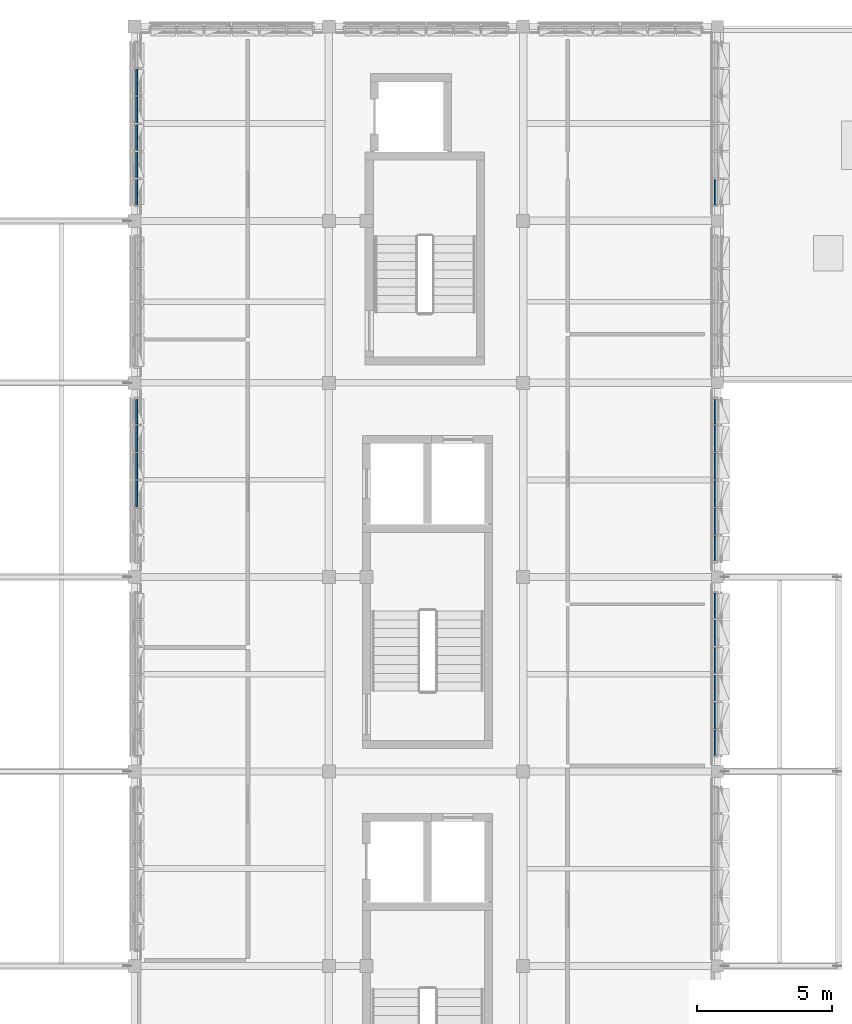
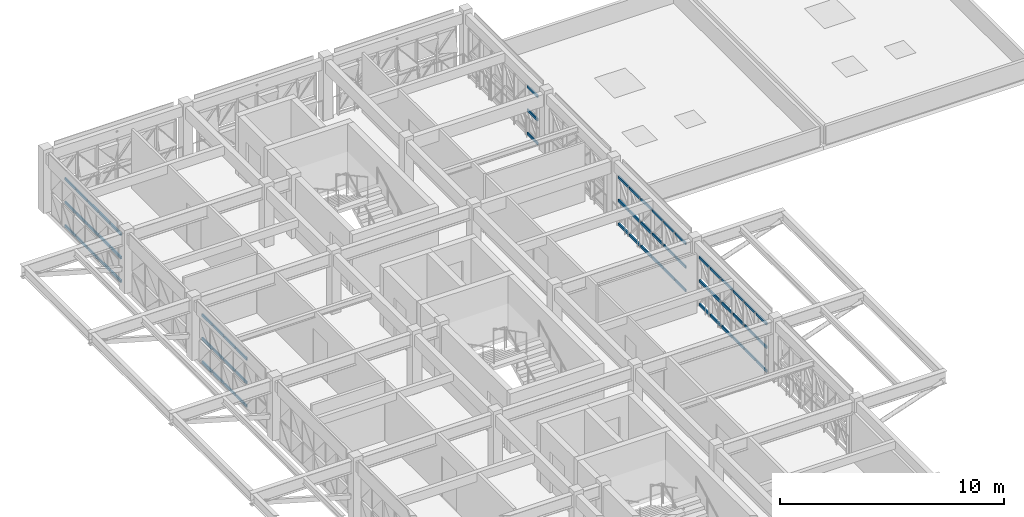
# One storey, part 9 of 30: 66 members, 5 elements without a shape of their own.
"""IFC4 building model written with IfcOpenShell, lengths in metres."""

import ifcopenshell
import ifcopenshell.guid

model = None  # the IFC model being written
_history = None  # IfcOwnerHistory: only IFC2X3 demands one
_inside = {}  # id of a spatial element -> (the spatial element, [elements in it])
_under = {}  # id of a project, library or spatial element -> (it, [spatial elements below it])
_declared = {}  # id of a project -> (the project, [libraries it declares])
_typed = {}  # id of a type object -> (the type object, [elements of that type])
_made_of = {}  # id of a material, layer set ... -> (it, [elements and type objects made of it])


def new_model(schema):
    """Start an empty IFC model of exactly this schema.

    Asked for "IFC4X3", IfcOpenShell would pick the latest addendum, in which some entities
    have other attributes; the version numbers below select the first issue.
    IFC2X3 requires an IfcOwnerHistory on every rooted entity: one is made here for all.
    """
    global model, _history
    if schema == "IFC4X3":
        model = ifcopenshell.file(schema_version=(4, 3, 0, 0))
    else:
        model = ifcopenshell.file(schema=schema)
    _inside.clear()
    _under.clear()
    _declared.clear()
    _typed.clear()
    _made_of.clear()
    _history = None
    if model.schema == "IFC2X3":
        org = make("IfcOrganization", Name="unknown")
        user = make(
            "IfcPersonAndOrganization",
            ThePerson=make("IfcPerson", FamilyName="unknown"),
            TheOrganization=org,
        )
        app = make(
            "IfcApplication",
            ApplicationDeveloper=org,
            Version="unknown",
            ApplicationFullName="unknown",
            ApplicationIdentifier="unknown",
        )
        _history = make(
            "IfcOwnerHistory",
            OwningUser=user,
            OwningApplication=app,
            ChangeAction="ADDED",
            CreationDate=0,
        )
    return model


def make(cls, **values):
    """One entity of the class cls with the attributes given. An attribute that is None is left unset."""
    return model.create_entity(
        cls, **{name: value for name, value in values.items() if value is not None}
    )


def rooted(cls, **values):
    """An entity with a GlobalId (a new one), such as an element, a storey or a relation."""
    return make(cls, GlobalId=ifcopenshell.guid.new(), OwnerHistory=_history, **values)


def si_unit(unit_type, name, prefix=None):
    """IfcSIUnit, for example si_unit("LENGTHUNIT", "METRE", prefix="MILLI")."""
    return make("IfcSIUnit", UnitType=unit_type, Prefix=prefix, Name=name)


def assignment(units):
    """IfcUnitAssignment: the units of a project."""
    return None if units is None else make("IfcUnitAssignment", Units=units)


def point(xyz):
    """IfcCartesianPoint."""
    return None if xyz is None else make("IfcCartesianPoint", Coordinates=xyz)


def direction(xyz):
    """IfcDirection."""
    return None if xyz is None else make("IfcDirection", DirectionRatios=xyz)


def frame(location, z_axis=None, x_axis=None):
    """IfcAxis2Placement3D, a coordinate frame: its origin and axes. An axis left out is left unset."""
    return make(
        "IfcAxis2Placement3D",
        Location=point(location),
        Axis=direction(z_axis),
        RefDirection=direction(x_axis),
    )


def frame_2d(location, x_axis=None):
    """IfcAxis2Placement2D, a coordinate frame in the plane: its origin and x axis."""
    return make(
        "IfcAxis2Placement2D", Location=point(location), RefDirection=direction(x_axis)
    )


def origin():
    """The frame at (0, 0, 0) with its axes left unset."""
    return frame((0.0, 0.0, 0.0))


def origin_2d():
    """The frame at (0, 0) in the plane with its x axis left unset."""
    return frame_2d((0.0, 0.0))


def place(relative_to, where):
    """IfcLocalPlacement: puts the frame where relative to a parent placement (None: the world)."""
    return make(
        "IfcLocalPlacement", PlacementRelTo=relative_to, RelativePlacement=where
    )


def context(
    kind, dimensions, precision=None, world=None, true_north=None, identifier=None
):
    """IfcGeometricRepresentationContext, for example the 3D "Model" context."""
    return make(
        "IfcGeometricRepresentationContext",
        ContextIdentifier=identifier,
        ContextType=kind,
        CoordinateSpaceDimension=dimensions,
        Precision=precision,
        WorldCoordinateSystem=world,
        TrueNorth=true_north,
    )


def subcontext(parent, identifier, kind, view, scale=None):
    """IfcGeometricRepresentationSubContext, for example "Body" below "Model"."""
    return make(
        "IfcGeometricRepresentationSubContext",
        ContextIdentifier=identifier,
        ContextType=kind,
        ParentContext=parent,
        TargetScale=scale,
        TargetView=view,
    )


def project(units=None, contexts=None):
    """IfcProject with its units and contexts."""
    return rooted(
        "IfcProject",
        Name="project",
        RepresentationContexts=contexts,
        UnitsInContext=assignment(units),
    )


def spatial(cls, under=None, at=None, **own):
    """A site, building, storey or space (cls), placed at a placement, below another one or the project."""
    s = rooted(cls, ObjectPlacement=at, **own)
    if under is not None:
        _under.setdefault(under.id(), (under, []))[1].append(s)
    return s


def profile(cls, at=None, kind="AREA", **sizes):
    """A parametric profile (cls). Its sizes go by their IFC names, for example OverallWidth=200.0."""
    return make(cls, ProfileType=kind, Position=at, **sizes)


def rectangle(**sizes):
    """IfcRectangleProfileDef."""
    return profile("IfcRectangleProfileDef", **sizes)


def extrude(swept, where, along, depth):
    """IfcExtrudedAreaSolid: the profile swept, set in the frame where, extruded along a direction by depth."""
    return make(
        "IfcExtrudedAreaSolid",
        SweptArea=swept,
        Position=where,
        ExtrudedDirection=direction(along),
        Depth=depth,
    )


def shape(context_of_items, identifier, shape_type, items):
    """IfcShapeRepresentation: the items that make up one representation, for example the "Body"."""
    return make(
        "IfcShapeRepresentation",
        ContextOfItems=context_of_items,
        RepresentationIdentifier=identifier,
        RepresentationType=shape_type,
        Items=items,
    )


def material(Name=None, Category=None):
    """IfcMaterial."""
    return make("IfcMaterial", Name=Name, Category=Category)


def material_profile(
    of_material, cross_section, Name=None, Category=None, Priority=None
):
    """IfcMaterialProfile: a cross section and its material."""
    return make(
        "IfcMaterialProfile",
        Name=Name,
        Material=of_material,
        Profile=cross_section,
        Priority=Priority,
        Category=Category,
    )


def profile_set(profiles, Name=None, composite=None):
    """IfcMaterialProfileSet."""
    return make(
        "IfcMaterialProfileSet",
        Name=Name,
        MaterialProfiles=profiles,
        CompositeProfile=composite,
    )


def made_of(thing, what):
    """Note that an element or type object is made of a material, layer set ...; save() writes the relation."""
    if what is not None:
        _made_of.setdefault(what.id(), (what, []))[1].append(thing)
    return thing


def type_object(cls, material=None, **own):
    """A type object (cls), such as IfcWallType, which elements share."""
    return made_of(rooted(cls, **own), material)


def element(
    cls,
    number,
    at=None,
    inside=None,
    cuts=None,
    type_object=None,
    material=None,
    context=None,
    identifier="Body",
    shape_type=None,
    held_by="IfcProductDefinitionShape",
    body=None,
    shapes=None,
    **own,
):
    """One element of the class cls, such as IfcWall. Its Tag is "e" and its number.

    at: its placement. inside: the storey or other place that contains it. cuts: it is an
    opening in that element (IfcRelVoidsElement). A single representation is given by context,
    identifier, shape_type and body (its items); several are given by shapes. held_by: the class
    of the entity that holds the representations. save() writes the other relations.
    """
    e = rooted(cls, Tag="e%d" % number, ObjectPlacement=at, **own)
    if body is not None:
        shapes = [shape(context, identifier, shape_type, body)]
    if shapes is not None:
        e.Representation = make(held_by, Representations=shapes)
    if inside is not None:
        _inside.setdefault(inside.id(), (inside, []))[1].append(e)
    if cuts is not None:
        rooted(
            "IfcRelVoidsElement", RelatingBuildingElement=cuts, RelatedOpeningElement=e
        )
    if type_object is not None:
        _typed.setdefault(type_object.id(), (type_object, []))[1].append(e)
    return made_of(e, material)


def aggregate(whole, parts):
    """IfcRelAggregates: a whole, such as a stair, and the parts it consists of."""
    return rooted("IfcRelAggregates", RelatingObject=whole, RelatedObjects=parts)


def save(model, path):
    """Write the relations noted so far, then the file.

    IfcRelAggregates (storeys below a building ...), IfcRelContainedInSpatialStructure (elements
    in a storey), IfcRelDefinesByType, IfcRelAssociatesMaterial and IfcRelDeclares: one each for
    every whole, place, type object, material and project.
    """
    for whole, parts in _under.values():
        aggregate(whole, parts)
    for where, things in _inside.values():
        rooted(
            "IfcRelContainedInSpatialStructure",
            RelatedElements=things,
            RelatingStructure=where,
        )
    for kind, things in _typed.values():
        rooted("IfcRelDefinesByType", RelatedObjects=things, RelatingType=kind)
    for what, things in _made_of.values():
        rooted("IfcRelAssociatesMaterial", RelatedObjects=things, RelatingMaterial=what)
    for by, libraries in _declared.values():
        rooted("IfcRelDeclares", RelatingContext=by, RelatedDefinitions=libraries)
    model.write(path)


model = new_model("IFC4")

# Units and contexts
model_context = context("Model", 3, precision=1e-05, world=origin(), true_north=direction((0.0, 1.0)))
body_context = subcontext(model_context, "Body", "Model", "MODEL_VIEW")
ifc_project = project(units=[si_unit("LENGTHUNIT", "METRE"), si_unit("AREAUNIT", "SQUARE_METRE"), si_unit("VOLUMEUNIT", "CUBIC_METRE"), si_unit("PLANEANGLEUNIT", "RADIAN"), si_unit("MASSUNIT", "GRAM", prefix="KILO")], contexts=[model_context])

# Site, building, storey
site_placement = place(None, origin())
site = spatial("IfcSite", under=ifc_project, at=site_placement, CompositionType="ELEMENT")
building_placement = place(site_placement, origin())
building = spatial("IfcBuilding", under=site, at=building_placement, Name="Alvorim Cloister Faculty of Sciences", CompositionType="ELEMENT")
storey_placement = place(building_placement, frame((0.0, 0.0, 26.25)))
storey = spatial("IfcBuildingStorey", under=building, at=storey_placement, Name="L07", CompositionType="ELEMENT", Elevation=26.25)

# Curtain wall, members
ifc_material_1 = material(Name="Aluminium and Low-E Glass Curtain Wall", Category="aluminium")
curtain_wall_type = type_object("IfcCurtainWallType", Name="CW-TRI-6120x2700", PredefinedType="USERDEFINED", material=ifc_material_1)
curtain_wall_1_placement = place(storey_placement, origin())
curtain_wall_1 = element("IfcCurtainWall", 1, at=curtain_wall_1_placement, inside=storey, type_object=curtain_wall_type, Name="L07 Diagonal Cassette Curtain Wall CW-0269", ObjectType="UNITISED CURTAIN WALL", PredefinedType="USERDEFINED")
ifc_material_2 = material(Name="Aluminium Alloy 6063-T6", Category="aluminium")
ifc_material_profile = material_profile(ifc_material_2, rectangle(XDim=0.06494140625, YDim=0.139892578125, at=origin_2d()), Name="ALU-TRN-65x140")
ifc_profile_set = profile_set([ifc_material_profile], Name="Aluminium Alloy 6063-T6")
member_type = type_object("IfcMemberType", Name="CW-TRN-65x140", PredefinedType="USERDEFINED", material=ifc_profile_set)
member_1_placement = place(storey_placement, frame((7.2900390625, 38.612548828125, 0.070068359375), z_axis=(0.0, 1.0, 0.0), x_axis=(-1.0, 0.0, 0.0)))
member_1 = element("IfcMember", 2, at=member_1_placement, type_object=member_type, Name="CW-0269 Transom 3.1", ObjectType="TRANSOM", PredefinedType="USERDEFINED", context=body_context, shape_type="SweptSolid", body=[
    extrude(rectangle(XDim=0.06494140625, YDim=0.139892578125, at=origin_2d()), origin(), (0.0, 0.0, 1.0), 0.954833984375),
])
member_2_placement = place(storey_placement, frame((7.2900390625, 38.612548828125, 1.35009765625), z_axis=(0.0, 1.0, 0.0), x_axis=(-1.0, 0.0, 0.0)))
member_2 = element("IfcMember", 3, at=member_2_placement, type_object=member_type, Name="CW-0269 Transom 3.2", ObjectType="TRANSOM", PredefinedType="USERDEFINED", context=body_context, shape_type="SweptSolid", body=[
    extrude(rectangle(XDim=0.06494140625, YDim=0.139892578125, at=origin_2d()), origin(), (0.0, 0.0, 1.0), 0.954833984375),
])
member_3_placement = place(storey_placement, frame((7.2900390625, 38.612548828125, 2.6298828125), z_axis=(0.0, 1.0, 0.0), x_axis=(-1.0, 0.0, 0.0)))
member_3 = element("IfcMember", 4, at=member_3_placement, type_object=member_type, Name="CW-0269 Transom 3.3", ObjectType="TRANSOM", PredefinedType="USERDEFINED", context=body_context, shape_type="SweptSolid", body=[
    extrude(rectangle(XDim=0.06494140625, YDim=0.139892578125, at=origin_2d()), origin(), (0.0, 0.0, 1.0), 0.954833984375),
])
member_4_placement = place(storey_placement, frame((7.2900390625, 39.632568359375, 0.070068359375), z_axis=(0.0, 1.0, 0.0), x_axis=(-1.0, 0.0, 0.0)))
member_4 = element("IfcMember", 5, at=member_4_placement, type_object=member_type, Name="CW-0269 Transom 4.1", ObjectType="TRANSOM", PredefinedType="USERDEFINED", context=body_context, shape_type="SweptSolid", body=[
    extrude(rectangle(XDim=0.06494140625, YDim=0.139892578125, at=origin_2d()), origin(), (0.0, 0.0, 1.0), 0.954833984375),
])
member_5_placement = place(storey_placement, frame((7.2900390625, 39.632568359375, 1.35009765625), z_axis=(0.0, 1.0, 0.0), x_axis=(-1.0, 0.0, 0.0)))
member_5 = element("IfcMember", 6, at=member_5_placement, type_object=member_type, Name="CW-0269 Transom 4.2", ObjectType="TRANSOM", PredefinedType="USERDEFINED", context=body_context, shape_type="SweptSolid", body=[
    extrude(rectangle(XDim=0.06494140625, YDim=0.139892578125, at=origin_2d()), origin(), (0.0, 0.0, 1.0), 0.954833984375),
])
member_6_placement = place(storey_placement, frame((7.2900390625, 39.632568359375, 2.6298828125), z_axis=(0.0, 1.0, 0.0), x_axis=(-1.0, 0.0, 0.0)))
member_6 = element("IfcMember", 7, at=member_6_placement, type_object=member_type, Name="CW-0269 Transom 4.3", ObjectType="TRANSOM", PredefinedType="USERDEFINED", context=body_context, shape_type="SweptSolid", body=[
    extrude(rectangle(XDim=0.06494140625, YDim=0.139892578125, at=origin_2d()), origin(), (0.0, 0.0, 1.0), 0.954833984375),
])
member_7_placement = place(storey_placement, frame((7.2900390625, 40.652587890625, 0.070068359375), z_axis=(0.0, 1.0, 0.0), x_axis=(-1.0, 0.0, 0.0)))
member_7 = element("IfcMember", 8, at=member_7_placement, type_object=member_type, Name="CW-0269 Transom 5.1", ObjectType="TRANSOM", PredefinedType="USERDEFINED", context=body_context, shape_type="SweptSolid", body=[
    extrude(rectangle(XDim=0.06494140625, YDim=0.139892578125, at=origin_2d()), origin(), (0.0, 0.0, 1.0), 0.954833984375),
])
member_8_placement = place(storey_placement, frame((7.2900390625, 40.652587890625, 1.35009765625), z_axis=(0.0, 1.0, 0.0), x_axis=(-1.0, 0.0, 0.0)))
member_8 = element("IfcMember", 9, at=member_8_placement, type_object=member_type, Name="CW-0269 Transom 5.2", ObjectType="TRANSOM", PredefinedType="USERDEFINED", context=body_context, shape_type="SweptSolid", body=[
    extrude(rectangle(XDim=0.06494140625, YDim=0.139892578125, at=origin_2d()), origin(), (0.0, 0.0, 1.0), 0.954833984375),
])
member_9_placement = place(storey_placement, frame((7.2900390625, 40.652587890625, 2.6298828125), z_axis=(0.0, 1.0, 0.0), x_axis=(-1.0, 0.0, 0.0)))
member_9 = element("IfcMember", 10, at=member_9_placement, type_object=member_type, Name="CW-0269 Transom 5.3", ObjectType="TRANSOM", PredefinedType="USERDEFINED", context=body_context, shape_type="SweptSolid", body=[
    extrude(rectangle(XDim=0.06494140625, YDim=0.139892578125, at=origin_2d()), origin(), (0.0, 0.0, 1.0), 0.954833984375),
])
member_10_placement = place(storey_placement, frame((7.2900390625, 41.672607421875, 0.070068359375), z_axis=(0.0, 1.0, 0.0), x_axis=(-1.0, 0.0, 0.0)))
member_10 = element("IfcMember", 11, at=member_10_placement, type_object=member_type, Name="CW-0269 Transom 6.1", ObjectType="TRANSOM", PredefinedType="USERDEFINED", context=body_context, shape_type="SweptSolid", body=[
    extrude(rectangle(XDim=0.06494140625, YDim=0.139892578125, at=origin_2d()), origin(), (0.0, 0.0, 1.0), 0.92236328125),
])
member_11_placement = place(storey_placement, frame((7.2900390625, 41.672607421875, 1.35009765625), z_axis=(0.0, 1.0, 0.0), x_axis=(-1.0, 0.0, 0.0)))
member_11 = element("IfcMember", 12, at=member_11_placement, type_object=member_type, Name="CW-0269 Transom 6.2", ObjectType="TRANSOM", PredefinedType="USERDEFINED", context=body_context, shape_type="SweptSolid", body=[
    extrude(rectangle(XDim=0.06494140625, YDim=0.139892578125, at=origin_2d()), origin(), (0.0, 0.0, 1.0), 0.92236328125),
])
member_12_placement = place(storey_placement, frame((7.2900390625, 41.672607421875, 2.6298828125), z_axis=(0.0, 1.0, 0.0), x_axis=(-1.0, 0.0, 0.0)))
member_12 = element("IfcMember", 13, at=member_12_placement, type_object=member_type, Name="CW-0269 Transom 6.3", ObjectType="TRANSOM", PredefinedType="USERDEFINED", context=body_context, shape_type="SweptSolid", body=[
    extrude(rectangle(XDim=0.06494140625, YDim=0.139892578125, at=origin_2d()), origin(), (0.0, 0.0, 1.0), 0.92236328125),
])
aggregate(curtain_wall_1, [member_1, member_2, member_3, member_4, member_5, member_6, member_7, member_8, member_9, member_10, member_11, member_12])

curtain_wall_2_placement = place(storey_placement, origin())
curtain_wall_2 = element("IfcCurtainWall", 14, at=curtain_wall_2_placement, inside=storey, type_object=curtain_wall_type, Name="L07 Diagonal Cassette Curtain Wall CW-0271", ObjectType="UNITISED CURTAIN WALL", PredefinedType="USERDEFINED")
member_13_placement = place(storey_placement, frame((7.2900390625, 49.804931640625, 0.070068359375), z_axis=(0.0, 1.0, 0.0), x_axis=(-1.0, 0.0, 0.0)))
member_13 = element("IfcMember", 15, at=member_13_placement, type_object=member_type, Name="CW-0271 Transom 1.1", ObjectType="TRANSOM", PredefinedType="USERDEFINED", context=body_context, shape_type="SweptSolid", body=[
    extrude(rectangle(XDim=0.06494140625, YDim=0.139892578125, at=origin_2d()), origin(), (0.0, 0.0, 1.0), 0.922607421875),
])
member_14_placement = place(storey_placement, frame((7.2900390625, 49.804931640625, 1.35009765625), z_axis=(0.0, 1.0, 0.0), x_axis=(-1.0, 0.0, 0.0)))
member_14 = element("IfcMember", 16, at=member_14_placement, type_object=member_type, Name="CW-0271 Transom 1.2", ObjectType="TRANSOM", PredefinedType="USERDEFINED", context=body_context, shape_type="SweptSolid", body=[
    extrude(rectangle(XDim=0.06494140625, YDim=0.139892578125, at=origin_2d()), origin(), (0.0, 0.0, 1.0), 0.922607421875),
])
member_15_placement = place(storey_placement, frame((7.2900390625, 49.804931640625, 2.6298828125), z_axis=(0.0, 1.0, 0.0), x_axis=(-1.0, 0.0, 0.0)))
member_15 = element("IfcMember", 17, at=member_15_placement, type_object=member_type, Name="CW-0271 Transom 1.3", ObjectType="TRANSOM", PredefinedType="USERDEFINED", context=body_context, shape_type="SweptSolid", body=[
    extrude(rectangle(XDim=0.06494140625, YDim=0.139892578125, at=origin_2d()), origin(), (0.0, 0.0, 1.0), 0.922607421875),
])
member_16_placement = place(storey_placement, frame((7.2900390625, 50.79248046875, 0.070068359375), z_axis=(0.0, 1.0, 0.0), x_axis=(-1.0, 0.0, 0.0)))
member_16 = element("IfcMember", 18, at=member_16_placement, type_object=member_type, Name="CW-0271 Transom 2.1", ObjectType="TRANSOM", PredefinedType="USERDEFINED", context=body_context, shape_type="SweptSolid", body=[
    extrude(rectangle(XDim=0.06494140625, YDim=0.139892578125, at=origin_2d()), origin(), (0.0, 0.0, 1.0), 0.955078125),
])
member_17_placement = place(storey_placement, frame((7.2900390625, 50.79248046875, 1.35009765625), z_axis=(0.0, 1.0, 0.0), x_axis=(-1.0, 0.0, 0.0)))
member_17 = element("IfcMember", 19, at=member_17_placement, type_object=member_type, Name="CW-0271 Transom 2.2", ObjectType="TRANSOM", PredefinedType="USERDEFINED", context=body_context, shape_type="SweptSolid", body=[
    extrude(rectangle(XDim=0.06494140625, YDim=0.139892578125, at=origin_2d()), origin(), (0.0, 0.0, 1.0), 0.955078125),
])
member_18_placement = place(storey_placement, frame((7.2900390625, 50.79248046875, 2.6298828125), z_axis=(0.0, 1.0, 0.0), x_axis=(-1.0, 0.0, 0.0)))
member_18 = element("IfcMember", 20, at=member_18_placement, type_object=member_type, Name="CW-0271 Transom 2.3", ObjectType="TRANSOM", PredefinedType="USERDEFINED", context=body_context, shape_type="SweptSolid", body=[
    extrude(rectangle(XDim=0.06494140625, YDim=0.139892578125, at=origin_2d()), origin(), (0.0, 0.0, 1.0), 0.955078125),
])
member_19_placement = place(storey_placement, frame((7.2900390625, 51.8125, 0.070068359375), z_axis=(0.0, 1.0, 0.0), x_axis=(-1.0, 0.0, 0.0)))
member_19 = element("IfcMember", 21, at=member_19_placement, type_object=member_type, Name="CW-0271 Transom 3.1", ObjectType="TRANSOM", PredefinedType="USERDEFINED", context=body_context, shape_type="SweptSolid", body=[
    extrude(rectangle(XDim=0.06494140625, YDim=0.139892578125, at=origin_2d()), origin(), (0.0, 0.0, 1.0), 0.955078125),
])
member_20_placement = place(storey_placement, frame((7.2900390625, 51.8125, 1.35009765625), z_axis=(0.0, 1.0, 0.0), x_axis=(-1.0, 0.0, 0.0)))
member_20 = element("IfcMember", 22, at=member_20_placement, type_object=member_type, Name="CW-0271 Transom 3.2", ObjectType="TRANSOM", PredefinedType="USERDEFINED", context=body_context, shape_type="SweptSolid", body=[
    extrude(rectangle(XDim=0.06494140625, YDim=0.139892578125, at=origin_2d()), origin(), (0.0, 0.0, 1.0), 0.955078125),
])
member_21_placement = place(storey_placement, frame((7.2900390625, 51.8125, 2.6298828125), z_axis=(0.0, 1.0, 0.0), x_axis=(-1.0, 0.0, 0.0)))
member_21 = element("IfcMember", 23, at=member_21_placement, type_object=member_type, Name="CW-0271 Transom 3.3", ObjectType="TRANSOM", PredefinedType="USERDEFINED", context=body_context, shape_type="SweptSolid", body=[
    extrude(rectangle(XDim=0.06494140625, YDim=0.139892578125, at=origin_2d()), origin(), (0.0, 0.0, 1.0), 0.955078125),
])
member_22_placement = place(storey_placement, frame((7.2900390625, 52.83251953125, 0.070068359375), z_axis=(0.0, 1.0, 0.0), x_axis=(-1.0, 0.0, 0.0)))
member_22 = element("IfcMember", 24, at=member_22_placement, type_object=member_type, Name="CW-0271 Transom 4.1", ObjectType="TRANSOM", PredefinedType="USERDEFINED", context=body_context, shape_type="SweptSolid", body=[
    extrude(rectangle(XDim=0.06494140625, YDim=0.139892578125, at=origin_2d()), origin(), (0.0, 0.0, 1.0), 0.955078125),
])
member_23_placement = place(storey_placement, frame((7.2900390625, 52.83251953125, 1.35009765625), z_axis=(0.0, 1.0, 0.0), x_axis=(-1.0, 0.0, 0.0)))
member_23 = element("IfcMember", 25, at=member_23_placement, type_object=member_type, Name="CW-0271 Transom 4.2", ObjectType="TRANSOM", PredefinedType="USERDEFINED", context=body_context, shape_type="SweptSolid", body=[
    extrude(rectangle(XDim=0.06494140625, YDim=0.139892578125, at=origin_2d()), origin(), (0.0, 0.0, 1.0), 0.955078125),
])
member_24_placement = place(storey_placement, frame((7.2900390625, 52.83251953125, 2.6298828125), z_axis=(0.0, 1.0, 0.0), x_axis=(-1.0, 0.0, 0.0)))
member_24 = element("IfcMember", 26, at=member_24_placement, type_object=member_type, Name="CW-0271 Transom 4.3", ObjectType="TRANSOM", PredefinedType="USERDEFINED", context=body_context, shape_type="SweptSolid", body=[
    extrude(rectangle(XDim=0.06494140625, YDim=0.139892578125, at=origin_2d()), origin(), (0.0, 0.0, 1.0), 0.955078125),
])
member_25_placement = place(storey_placement, frame((7.2900390625, 53.8525390625, 0.070068359375), z_axis=(0.0, 1.0, 0.0), x_axis=(-1.0, 0.0, 0.0)))
member_25 = element("IfcMember", 27, at=member_25_placement, type_object=member_type, Name="CW-0271 Transom 5.1", ObjectType="TRANSOM", PredefinedType="USERDEFINED", context=body_context, shape_type="SweptSolid", body=[
    extrude(rectangle(XDim=0.06494140625, YDim=0.139892578125, at=origin_2d()), origin(), (0.0, 0.0, 1.0), 0.955078125),
])
member_26_placement = place(storey_placement, frame((7.2900390625, 53.8525390625, 1.35009765625), z_axis=(0.0, 1.0, 0.0), x_axis=(-1.0, 0.0, 0.0)))
member_26 = element("IfcMember", 28, at=member_26_placement, type_object=member_type, Name="CW-0271 Transom 5.2", ObjectType="TRANSOM", PredefinedType="USERDEFINED", context=body_context, shape_type="SweptSolid", body=[
    extrude(rectangle(XDim=0.06494140625, YDim=0.139892578125, at=origin_2d()), origin(), (0.0, 0.0, 1.0), 0.955078125),
])
member_27_placement = place(storey_placement, frame((7.2900390625, 53.8525390625, 2.6298828125), z_axis=(0.0, 1.0, 0.0), x_axis=(-1.0, 0.0, 0.0)))
member_27 = element("IfcMember", 29, at=member_27_placement, type_object=member_type, Name="CW-0271 Transom 5.3", ObjectType="TRANSOM", PredefinedType="USERDEFINED", context=body_context, shape_type="SweptSolid", body=[
    extrude(rectangle(XDim=0.06494140625, YDim=0.139892578125, at=origin_2d()), origin(), (0.0, 0.0, 1.0), 0.955078125),
])
aggregate(curtain_wall_2, [member_13, member_14, member_15, member_16, member_17, member_18, member_19, member_20, member_21, member_22, member_23, member_24, member_25, member_26, member_27])

curtain_wall_3_placement = place(storey_placement, origin())
curtain_wall_3 = element("IfcCurtainWall", 30, at=curtain_wall_3_placement, inside=storey, type_object=curtain_wall_type, Name="L07 Diagonal Cassette Curtain Wall CW-0275", ObjectType="UNITISED CURTAIN WALL", PredefinedType="USERDEFINED")
member_28_placement = place(storey_placement, frame((28.7099609375, 49.804931640625, 0.070068359375), z_axis=(0.0, 1.0, 0.0), x_axis=(-1.0, 0.0, 0.0)))
member_28 = element("IfcMember", 31, at=member_28_placement, type_object=member_type, Name="CW-0275 Transom 1.1", ObjectType="TRANSOM", PredefinedType="USERDEFINED", context=body_context, shape_type="SweptSolid", body=[
    extrude(rectangle(XDim=0.06494140625, YDim=0.139892578125, at=origin_2d()), origin(), (0.0, 0.0, 1.0), 0.922607421875),
])
member_29_placement = place(storey_placement, frame((28.7099609375, 49.804931640625, 1.35009765625), z_axis=(0.0, 1.0, 0.0), x_axis=(-1.0, 0.0, 0.0)))
member_29 = element("IfcMember", 32, at=member_29_placement, type_object=member_type, Name="CW-0275 Transom 1.2", ObjectType="TRANSOM", PredefinedType="USERDEFINED", context=body_context, shape_type="SweptSolid", body=[
    extrude(rectangle(XDim=0.06494140625, YDim=0.139892578125, at=origin_2d()), origin(), (0.0, 0.0, 1.0), 0.922607421875),
])
member_30_placement = place(storey_placement, frame((28.7099609375, 49.804931640625, 2.6298828125), z_axis=(0.0, 1.0, 0.0), x_axis=(-1.0, 0.0, 0.0)))
member_30 = element("IfcMember", 33, at=member_30_placement, type_object=member_type, Name="CW-0275 Transom 1.3", ObjectType="TRANSOM", PredefinedType="USERDEFINED", context=body_context, shape_type="SweptSolid", body=[
    extrude(rectangle(XDim=0.06494140625, YDim=0.139892578125, at=origin_2d()), origin(), (0.0, 0.0, 1.0), 0.922607421875),
])
aggregate(curtain_wall_3, [member_28, member_29, member_30])

curtain_wall_4_placement = place(storey_placement, origin())
curtain_wall_4 = element("IfcCurtainWall", 34, at=curtain_wall_4_placement, inside=storey, type_object=curtain_wall_type, Name="L07 Diagonal Cassette Curtain Wall CW-0277", ObjectType="UNITISED CURTAIN WALL", PredefinedType="USERDEFINED")
member_31_placement = place(storey_placement, frame((28.7099609375, 36.60498046875, 0.070068359375), z_axis=(0.0, 1.0, 0.0), x_axis=(-1.0, 0.0, 0.0)))
member_31 = element("IfcMember", 35, at=member_31_placement, type_object=member_type, Name="CW-0277 Transom 1.1", ObjectType="TRANSOM", PredefinedType="USERDEFINED", context=body_context, shape_type="SweptSolid", body=[
    extrude(rectangle(XDim=0.06494140625, YDim=0.139892578125, at=origin_2d()), origin(), (0.0, 0.0, 1.0), 0.922607421875),
])
member_32_placement = place(storey_placement, frame((28.7099609375, 36.60498046875, 1.35009765625), z_axis=(0.0, 1.0, 0.0), x_axis=(-1.0, 0.0, 0.0)))
member_32 = element("IfcMember", 36, at=member_32_placement, type_object=member_type, Name="CW-0277 Transom 1.2", ObjectType="TRANSOM", PredefinedType="USERDEFINED", context=body_context, shape_type="SweptSolid", body=[
    extrude(rectangle(XDim=0.06494140625, YDim=0.139892578125, at=origin_2d()), origin(), (0.0, 0.0, 1.0), 0.922607421875),
])
member_33_placement = place(storey_placement, frame((28.7099609375, 36.60498046875, 2.6298828125), z_axis=(0.0, 1.0, 0.0), x_axis=(-1.0, 0.0, 0.0)))
member_33 = element("IfcMember", 37, at=member_33_placement, type_object=member_type, Name="CW-0277 Transom 1.3", ObjectType="TRANSOM", PredefinedType="USERDEFINED", context=body_context, shape_type="SweptSolid", body=[
    extrude(rectangle(XDim=0.06494140625, YDim=0.139892578125, at=origin_2d()), origin(), (0.0, 0.0, 1.0), 0.922607421875),
])
member_34_placement = place(storey_placement, frame((28.7099609375, 37.592529296875, 0.070068359375), z_axis=(0.0, 1.0, 0.0), x_axis=(-1.0, 0.0, 0.0)))
member_34 = element("IfcMember", 38, at=member_34_placement, type_object=member_type, Name="CW-0277 Transom 2.1", ObjectType="TRANSOM", PredefinedType="USERDEFINED", context=body_context, shape_type="SweptSolid", body=[
    extrude(rectangle(XDim=0.06494140625, YDim=0.139892578125, at=origin_2d()), origin(), (0.0, 0.0, 1.0), 0.955078125),
])
member_35_placement = place(storey_placement, frame((28.7099609375, 37.592529296875, 1.35009765625), z_axis=(0.0, 1.0, 0.0), x_axis=(-1.0, 0.0, 0.0)))
member_35 = element("IfcMember", 39, at=member_35_placement, type_object=member_type, Name="CW-0277 Transom 2.2", ObjectType="TRANSOM", PredefinedType="USERDEFINED", context=body_context, shape_type="SweptSolid", body=[
    extrude(rectangle(XDim=0.06494140625, YDim=0.139892578125, at=origin_2d()), origin(), (0.0, 0.0, 1.0), 0.955078125),
])
member_36_placement = place(storey_placement, frame((28.7099609375, 37.592529296875, 2.6298828125), z_axis=(0.0, 1.0, 0.0), x_axis=(-1.0, 0.0, 0.0)))
member_36 = element("IfcMember", 40, at=member_36_placement, type_object=member_type, Name="CW-0277 Transom 2.3", ObjectType="TRANSOM", PredefinedType="USERDEFINED", context=body_context, shape_type="SweptSolid", body=[
    extrude(rectangle(XDim=0.06494140625, YDim=0.139892578125, at=origin_2d()), origin(), (0.0, 0.0, 1.0), 0.955078125),
])
member_37_placement = place(storey_placement, frame((28.7099609375, 38.612548828125, 0.070068359375), z_axis=(0.0, 1.0, 0.0), x_axis=(-1.0, 0.0, 0.0)))
member_37 = element("IfcMember", 41, at=member_37_placement, type_object=member_type, Name="CW-0277 Transom 3.1", ObjectType="TRANSOM", PredefinedType="USERDEFINED", context=body_context, shape_type="SweptSolid", body=[
    extrude(rectangle(XDim=0.06494140625, YDim=0.139892578125, at=origin_2d()), origin(), (0.0, 0.0, 1.0), 0.954833984375),
])
member_38_placement = place(storey_placement, frame((28.7099609375, 38.612548828125, 1.35009765625), z_axis=(0.0, 1.0, 0.0), x_axis=(-1.0, 0.0, 0.0)))
member_38 = element("IfcMember", 42, at=member_38_placement, type_object=member_type, Name="CW-0277 Transom 3.2", ObjectType="TRANSOM", PredefinedType="USERDEFINED", context=body_context, shape_type="SweptSolid", body=[
    extrude(rectangle(XDim=0.06494140625, YDim=0.139892578125, at=origin_2d()), origin(), (0.0, 0.0, 1.0), 0.954833984375),
])
member_39_placement = place(storey_placement, frame((28.7099609375, 38.612548828125, 2.6298828125), z_axis=(0.0, 1.0, 0.0), x_axis=(-1.0, 0.0, 0.0)))
member_39 = element("IfcMember", 43, at=member_39_placement, type_object=member_type, Name="CW-0277 Transom 3.3", ObjectType="TRANSOM", PredefinedType="USERDEFINED", context=body_context, shape_type="SweptSolid", body=[
    extrude(rectangle(XDim=0.06494140625, YDim=0.139892578125, at=origin_2d()), origin(), (0.0, 0.0, 1.0), 0.954833984375),
])
member_40_placement = place(storey_placement, frame((28.7099609375, 39.632568359375, 0.070068359375), z_axis=(0.0, 1.0, 0.0), x_axis=(-1.0, 0.0, 0.0)))
member_40 = element("IfcMember", 44, at=member_40_placement, type_object=member_type, Name="CW-0277 Transom 4.1", ObjectType="TRANSOM", PredefinedType="USERDEFINED", context=body_context, shape_type="SweptSolid", body=[
    extrude(rectangle(XDim=0.06494140625, YDim=0.139892578125, at=origin_2d()), origin(), (0.0, 0.0, 1.0), 0.954833984375),
])
member_41_placement = place(storey_placement, frame((28.7099609375, 39.632568359375, 1.35009765625), z_axis=(0.0, 1.0, 0.0), x_axis=(-1.0, 0.0, 0.0)))
member_41 = element("IfcMember", 45, at=member_41_placement, type_object=member_type, Name="CW-0277 Transom 4.2", ObjectType="TRANSOM", PredefinedType="USERDEFINED", context=body_context, shape_type="SweptSolid", body=[
    extrude(rectangle(XDim=0.06494140625, YDim=0.139892578125, at=origin_2d()), origin(), (0.0, 0.0, 1.0), 0.954833984375),
])
member_42_placement = place(storey_placement, frame((28.7099609375, 39.632568359375, 2.6298828125), z_axis=(0.0, 1.0, 0.0), x_axis=(-1.0, 0.0, 0.0)))
member_42 = element("IfcMember", 46, at=member_42_placement, type_object=member_type, Name="CW-0277 Transom 4.3", ObjectType="TRANSOM", PredefinedType="USERDEFINED", context=body_context, shape_type="SweptSolid", body=[
    extrude(rectangle(XDim=0.06494140625, YDim=0.139892578125, at=origin_2d()), origin(), (0.0, 0.0, 1.0), 0.954833984375),
])
member_43_placement = place(storey_placement, frame((28.7099609375, 40.652587890625, 0.070068359375), z_axis=(0.0, 1.0, 0.0), x_axis=(-1.0, 0.0, 0.0)))
member_43 = element("IfcMember", 47, at=member_43_placement, type_object=member_type, Name="CW-0277 Transom 5.1", ObjectType="TRANSOM", PredefinedType="USERDEFINED", context=body_context, shape_type="SweptSolid", body=[
    extrude(rectangle(XDim=0.06494140625, YDim=0.139892578125, at=origin_2d()), origin(), (0.0, 0.0, 1.0), 0.954833984375),
])
member_44_placement = place(storey_placement, frame((28.7099609375, 40.652587890625, 1.35009765625), z_axis=(0.0, 1.0, 0.0), x_axis=(-1.0, 0.0, 0.0)))
member_44 = element("IfcMember", 48, at=member_44_placement, type_object=member_type, Name="CW-0277 Transom 5.2", ObjectType="TRANSOM", PredefinedType="USERDEFINED", context=body_context, shape_type="SweptSolid", body=[
    extrude(rectangle(XDim=0.06494140625, YDim=0.139892578125, at=origin_2d()), origin(), (0.0, 0.0, 1.0), 0.954833984375),
])
member_45_placement = place(storey_placement, frame((28.7099609375, 40.652587890625, 2.6298828125), z_axis=(0.0, 1.0, 0.0), x_axis=(-1.0, 0.0, 0.0)))
member_45 = element("IfcMember", 49, at=member_45_placement, type_object=member_type, Name="CW-0277 Transom 5.3", ObjectType="TRANSOM", PredefinedType="USERDEFINED", context=body_context, shape_type="SweptSolid", body=[
    extrude(rectangle(XDim=0.06494140625, YDim=0.139892578125, at=origin_2d()), origin(), (0.0, 0.0, 1.0), 0.954833984375),
])
member_46_placement = place(storey_placement, frame((28.7099609375, 41.672607421875, 0.070068359375), z_axis=(0.0, 1.0, 0.0), x_axis=(-1.0, 0.0, 0.0)))
member_46 = element("IfcMember", 50, at=member_46_placement, type_object=member_type, Name="CW-0277 Transom 6.1", ObjectType="TRANSOM", PredefinedType="USERDEFINED", context=body_context, shape_type="SweptSolid", body=[
    extrude(rectangle(XDim=0.06494140625, YDim=0.139892578125, at=origin_2d()), origin(), (0.0, 0.0, 1.0), 0.92236328125),
])
member_47_placement = place(storey_placement, frame((28.7099609375, 41.672607421875, 1.35009765625), z_axis=(0.0, 1.0, 0.0), x_axis=(-1.0, 0.0, 0.0)))
member_47 = element("IfcMember", 51, at=member_47_placement, type_object=member_type, Name="CW-0277 Transom 6.2", ObjectType="TRANSOM", PredefinedType="USERDEFINED", context=body_context, shape_type="SweptSolid", body=[
    extrude(rectangle(XDim=0.06494140625, YDim=0.139892578125, at=origin_2d()), origin(), (0.0, 0.0, 1.0), 0.92236328125),
])
member_48_placement = place(storey_placement, frame((28.7099609375, 41.672607421875, 2.6298828125), z_axis=(0.0, 1.0, 0.0), x_axis=(-1.0, 0.0, 0.0)))
member_48 = element("IfcMember", 52, at=member_48_placement, type_object=member_type, Name="CW-0277 Transom 6.3", ObjectType="TRANSOM", PredefinedType="USERDEFINED", context=body_context, shape_type="SweptSolid", body=[
    extrude(rectangle(XDim=0.06494140625, YDim=0.139892578125, at=origin_2d()), origin(), (0.0, 0.0, 1.0), 0.92236328125),
])
aggregate(curtain_wall_4, [member_31, member_32, member_33, member_34, member_35, member_36, member_37, member_38, member_39, member_40, member_41, member_42, member_43, member_44, member_45, member_46, member_47, member_48])

curtain_wall_5_placement = place(storey_placement, origin())
curtain_wall_5 = element("IfcCurtainWall", 53, at=curtain_wall_5_placement, inside=storey, type_object=curtain_wall_type, Name="L07 Diagonal Cassette Curtain Wall CW-0278", ObjectType="UNITISED CURTAIN WALL", PredefinedType="USERDEFINED")
member_49_placement = place(storey_placement, frame((28.7099609375, 29.405029296875, 0.070068359375), z_axis=(0.0, 1.0, 0.0), x_axis=(-1.0, 0.0, 0.0)))
member_49 = element("IfcMember", 54, at=member_49_placement, type_object=member_type, Name="CW-0278 Transom 1.1", ObjectType="TRANSOM", PredefinedType="USERDEFINED", context=body_context, shape_type="SweptSolid", body=[
    extrude(rectangle(XDim=0.06494140625, YDim=0.139892578125, at=origin_2d()), origin(), (0.0, 0.0, 1.0), 0.92236328125),
])
member_50_placement = place(storey_placement, frame((28.7099609375, 29.405029296875, 1.35009765625), z_axis=(0.0, 1.0, 0.0), x_axis=(-1.0, 0.0, 0.0)))
member_50 = element("IfcMember", 55, at=member_50_placement, type_object=member_type, Name="CW-0278 Transom 1.2", ObjectType="TRANSOM", PredefinedType="USERDEFINED", context=body_context, shape_type="SweptSolid", body=[
    extrude(rectangle(XDim=0.06494140625, YDim=0.139892578125, at=origin_2d()), origin(), (0.0, 0.0, 1.0), 0.92236328125),
])
member_51_placement = place(storey_placement, frame((28.7099609375, 29.405029296875, 2.6298828125), z_axis=(0.0, 1.0, 0.0), x_axis=(-1.0, 0.0, 0.0)))
member_51 = element("IfcMember", 56, at=member_51_placement, type_object=member_type, Name="CW-0278 Transom 1.3", ObjectType="TRANSOM", PredefinedType="USERDEFINED", context=body_context, shape_type="SweptSolid", body=[
    extrude(rectangle(XDim=0.06494140625, YDim=0.139892578125, at=origin_2d()), origin(), (0.0, 0.0, 1.0), 0.92236328125),
])
member_52_placement = place(storey_placement, frame((28.7099609375, 30.392578125, 0.070068359375), z_axis=(0.0, 1.0, 0.0), x_axis=(-1.0, 0.0, 0.0)))
member_52 = element("IfcMember", 57, at=member_52_placement, type_object=member_type, Name="CW-0278 Transom 2.1", ObjectType="TRANSOM", PredefinedType="USERDEFINED", context=body_context, shape_type="SweptSolid", body=[
    extrude(rectangle(XDim=0.06494140625, YDim=0.139892578125, at=origin_2d()), origin(), (0.0, 0.0, 1.0), 0.954833984375),
])
member_53_placement = place(storey_placement, frame((28.7099609375, 30.392578125, 1.35009765625), z_axis=(0.0, 1.0, 0.0), x_axis=(-1.0, 0.0, 0.0)))
member_53 = element("IfcMember", 58, at=member_53_placement, type_object=member_type, Name="CW-0278 Transom 2.2", ObjectType="TRANSOM", PredefinedType="USERDEFINED", context=body_context, shape_type="SweptSolid", body=[
    extrude(rectangle(XDim=0.06494140625, YDim=0.139892578125, at=origin_2d()), origin(), (0.0, 0.0, 1.0), 0.954833984375),
])
member_54_placement = place(storey_placement, frame((28.7099609375, 30.392578125, 2.6298828125), z_axis=(0.0, 1.0, 0.0), x_axis=(-1.0, 0.0, 0.0)))
member_54 = element("IfcMember", 59, at=member_54_placement, type_object=member_type, Name="CW-0278 Transom 2.3", ObjectType="TRANSOM", PredefinedType="USERDEFINED", context=body_context, shape_type="SweptSolid", body=[
    extrude(rectangle(XDim=0.06494140625, YDim=0.139892578125, at=origin_2d()), origin(), (0.0, 0.0, 1.0), 0.954833984375),
])
member_55_placement = place(storey_placement, frame((28.7099609375, 31.41259765625, 0.070068359375), z_axis=(0.0, 1.0, 0.0), x_axis=(-1.0, 0.0, 0.0)))
member_55 = element("IfcMember", 60, at=member_55_placement, type_object=member_type, Name="CW-0278 Transom 3.1", ObjectType="TRANSOM", PredefinedType="USERDEFINED", context=body_context, shape_type="SweptSolid", body=[
    extrude(rectangle(XDim=0.06494140625, YDim=0.139892578125, at=origin_2d()), origin(), (0.0, 0.0, 1.0), 0.954833984375),
])
member_56_placement = place(storey_placement, frame((28.7099609375, 31.41259765625, 1.35009765625), z_axis=(0.0, 1.0, 0.0), x_axis=(-1.0, 0.0, 0.0)))
member_56 = element("IfcMember", 61, at=member_56_placement, type_object=member_type, Name="CW-0278 Transom 3.2", ObjectType="TRANSOM", PredefinedType="USERDEFINED", context=body_context, shape_type="SweptSolid", body=[
    extrude(rectangle(XDim=0.06494140625, YDim=0.139892578125, at=origin_2d()), origin(), (0.0, 0.0, 1.0), 0.954833984375),
])
member_57_placement = place(storey_placement, frame((28.7099609375, 31.41259765625, 2.6298828125), z_axis=(0.0, 1.0, 0.0), x_axis=(-1.0, 0.0, 0.0)))
member_57 = element("IfcMember", 62, at=member_57_placement, type_object=member_type, Name="CW-0278 Transom 3.3", ObjectType="TRANSOM", PredefinedType="USERDEFINED", context=body_context, shape_type="SweptSolid", body=[
    extrude(rectangle(XDim=0.06494140625, YDim=0.139892578125, at=origin_2d()), origin(), (0.0, 0.0, 1.0), 0.954833984375),
])
member_58_placement = place(storey_placement, frame((28.7099609375, 32.4326171875, 0.070068359375), z_axis=(0.0, 1.0, 0.0), x_axis=(-1.0, 0.0, 0.0)))
member_58 = element("IfcMember", 63, at=member_58_placement, type_object=member_type, Name="CW-0278 Transom 4.1", ObjectType="TRANSOM", PredefinedType="USERDEFINED", context=body_context, shape_type="SweptSolid", body=[
    extrude(rectangle(XDim=0.06494140625, YDim=0.139892578125, at=origin_2d()), origin(), (0.0, 0.0, 1.0), 0.954833984375),
])
member_59_placement = place(storey_placement, frame((28.7099609375, 32.4326171875, 1.35009765625), z_axis=(0.0, 1.0, 0.0), x_axis=(-1.0, 0.0, 0.0)))
member_59 = element("IfcMember", 64, at=member_59_placement, type_object=member_type, Name="CW-0278 Transom 4.2", ObjectType="TRANSOM", PredefinedType="USERDEFINED", context=body_context, shape_type="SweptSolid", body=[
    extrude(rectangle(XDim=0.06494140625, YDim=0.139892578125, at=origin_2d()), origin(), (0.0, 0.0, 1.0), 0.954833984375),
])
member_60_placement = place(storey_placement, frame((28.7099609375, 32.4326171875, 2.6298828125), z_axis=(0.0, 1.0, 0.0), x_axis=(-1.0, 0.0, 0.0)))
member_60 = element("IfcMember", 65, at=member_60_placement, type_object=member_type, Name="CW-0278 Transom 4.3", ObjectType="TRANSOM", PredefinedType="USERDEFINED", context=body_context, shape_type="SweptSolid", body=[
    extrude(rectangle(XDim=0.06494140625, YDim=0.139892578125, at=origin_2d()), origin(), (0.0, 0.0, 1.0), 0.954833984375),
])
member_61_placement = place(storey_placement, frame((28.7099609375, 33.452392578125, 0.070068359375), z_axis=(0.0, 1.0, 0.0), x_axis=(-1.0, 0.0, 0.0)))
member_61 = element("IfcMember", 66, at=member_61_placement, type_object=member_type, Name="CW-0278 Transom 5.1", ObjectType="TRANSOM", PredefinedType="USERDEFINED", context=body_context, shape_type="SweptSolid", body=[
    extrude(rectangle(XDim=0.06494140625, YDim=0.139892578125, at=origin_2d()), origin(), (0.0, 0.0, 1.0), 0.955078125),
])
member_62_placement = place(storey_placement, frame((28.7099609375, 33.452392578125, 1.35009765625), z_axis=(0.0, 1.0, 0.0), x_axis=(-1.0, 0.0, 0.0)))
member_62 = element("IfcMember", 67, at=member_62_placement, type_object=member_type, Name="CW-0278 Transom 5.2", ObjectType="TRANSOM", PredefinedType="USERDEFINED", context=body_context, shape_type="SweptSolid", body=[
    extrude(rectangle(XDim=0.06494140625, YDim=0.139892578125, at=origin_2d()), origin(), (0.0, 0.0, 1.0), 0.955078125),
])
member_63_placement = place(storey_placement, frame((28.7099609375, 33.452392578125, 2.6298828125), z_axis=(0.0, 1.0, 0.0), x_axis=(-1.0, 0.0, 0.0)))
member_63 = element("IfcMember", 68, at=member_63_placement, type_object=member_type, Name="CW-0278 Transom 5.3", ObjectType="TRANSOM", PredefinedType="USERDEFINED", context=body_context, shape_type="SweptSolid", body=[
    extrude(rectangle(XDim=0.06494140625, YDim=0.139892578125, at=origin_2d()), origin(), (0.0, 0.0, 1.0), 0.955078125),
])
member_64_placement = place(storey_placement, frame((28.7099609375, 34.472412109375, 0.070068359375), z_axis=(0.0, 1.0, 0.0), x_axis=(-1.0, 0.0, 0.0)))
member_64 = element("IfcMember", 69, at=member_64_placement, type_object=member_type, Name="CW-0278 Transom 6.1", ObjectType="TRANSOM", PredefinedType="USERDEFINED", context=body_context, shape_type="SweptSolid", body=[
    extrude(rectangle(XDim=0.06494140625, YDim=0.139892578125, at=origin_2d()), origin(), (0.0, 0.0, 1.0), 0.922607421875),
])
member_65_placement = place(storey_placement, frame((28.7099609375, 34.472412109375, 1.35009765625), z_axis=(0.0, 1.0, 0.0), x_axis=(-1.0, 0.0, 0.0)))
member_65 = element("IfcMember", 70, at=member_65_placement, type_object=member_type, Name="CW-0278 Transom 6.2", ObjectType="TRANSOM", PredefinedType="USERDEFINED", context=body_context, shape_type="SweptSolid", body=[
    extrude(rectangle(XDim=0.06494140625, YDim=0.139892578125, at=origin_2d()), origin(), (0.0, 0.0, 1.0), 0.922607421875),
])
member_66_placement = place(storey_placement, frame((28.7099609375, 34.472412109375, 2.6298828125), z_axis=(0.0, 1.0, 0.0), x_axis=(-1.0, 0.0, 0.0)))
member_66 = element("IfcMember", 71, at=member_66_placement, type_object=member_type, Name="CW-0278 Transom 6.3", ObjectType="TRANSOM", PredefinedType="USERDEFINED", context=body_context, shape_type="SweptSolid", body=[
    extrude(rectangle(XDim=0.06494140625, YDim=0.139892578125, at=origin_2d()), origin(), (0.0, 0.0, 1.0), 0.922607421875),
])
aggregate(curtain_wall_5, [member_49, member_50, member_51, member_52, member_53, member_54, member_55, member_56, member_57, member_58, member_59, member_60, member_61, member_62, member_63, member_64, member_65, member_66])

save(model, "model.ifc")
